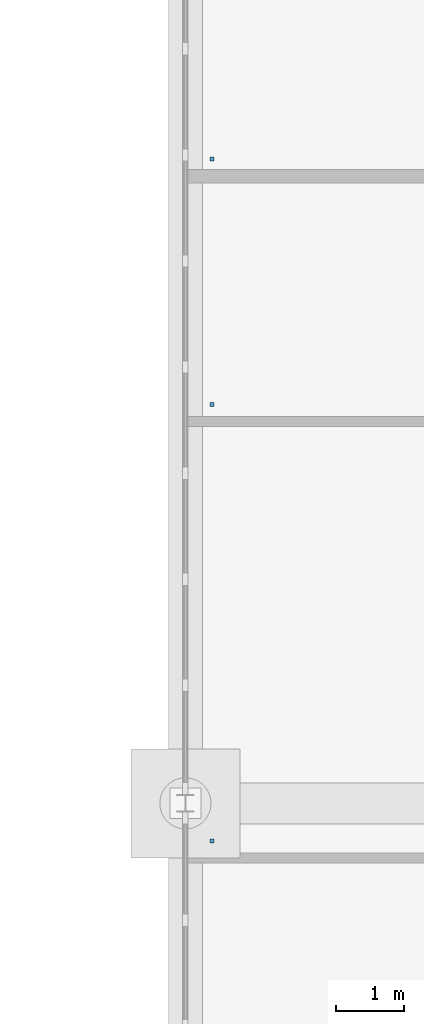
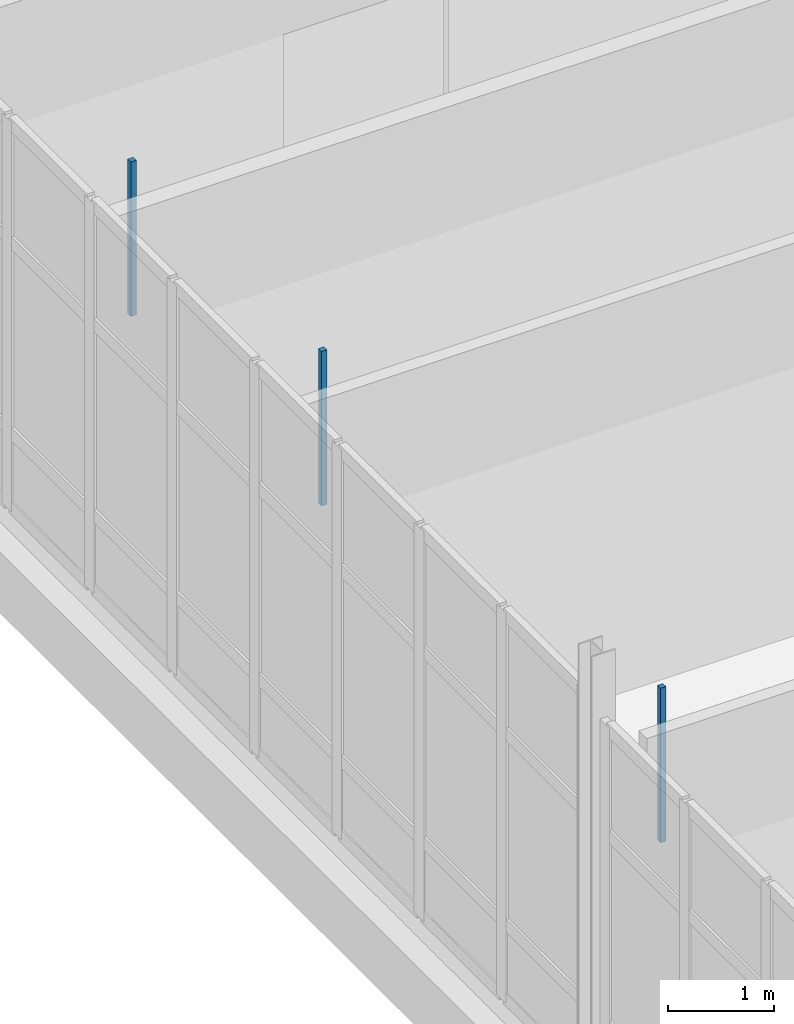
# One storey, part 87 of 111: 3 discrete accessories.
"""IFC4 building model written with IfcOpenShell, lengths in metres."""

from ifc_helpers import new_model, si_unit, direction, frame, origin, place, context, subcontext, project, spatial, polyline, outline, extrude, material, type_object, element, save


model = new_model("IFC4")

# Units and contexts
model_context = context("Model", 3, precision=1e-05, world=origin(), true_north=direction((0.0, 1.0)))
body_context = subcontext(model_context, "Body", "Model", "MODEL_VIEW")
ifc_project = project(units=[si_unit("LENGTHUNIT", "METRE"), si_unit("AREAUNIT", "SQUARE_METRE"), si_unit("VOLUMEUNIT", "CUBIC_METRE"), si_unit("PLANEANGLEUNIT", "RADIAN"), si_unit("MASSUNIT", "GRAM", prefix="KILO")], contexts=[model_context])

# Site, building, storey
site_placement = place(None, origin())
site = spatial("IfcSite", under=ifc_project, at=site_placement, CompositionType="ELEMENT")
building_placement = place(site_placement, origin())
building = spatial("IfcBuilding", under=site, at=building_placement, Name="Dunescarp Central Library", CompositionType="ELEMENT")
storey_placement = place(building_placement, origin())
storey = spatial("IfcBuildingStorey", under=building, at=storey_placement, Name="L00", CompositionType="ELEMENT", Elevation=0.0)

# Discrete accessories
ifc_material = material(Name="Stainless steel Grade 316L", Category="steel")
discrete_accessory_type = type_object("IfcDiscreteAccessoryType", Name="ARC-ACC-BRK", PredefinedType="BRACKET", material=ifc_material)
discrete_accessory_1_placement = place(storey_placement, frame((0.0, 0.0, 3.06005859375)))
element("IfcDiscreteAccessory", 1, at=discrete_accessory_1_placement, inside=storey, type_object=discrete_accessory_type, Name="L00 ceiling hanger CLG-L00-124-H1", PredefinedType="BRACKET", context=body_context, shape_type="SweptSolid", body=[
    extrude(outline(polyline([(0.360107421875, 98.6201171875), (0.419921875, 98.6201171875), (0.419921875, 98.679931640625), (0.360107421875, 98.679931640625), (0.360107421875, 98.6201171875)])), origin(), (0.0, 0.0, 1.0), 1.780029296875),
])
discrete_accessory_2_placement = place(storey_placement, frame((0.0, 0.0, 3.06005859375)))
element("IfcDiscreteAccessory", 2, at=discrete_accessory_2_placement, inside=storey, type_object=discrete_accessory_type, Name="L00 ceiling hanger CLG-L00-125-H1", PredefinedType="BRACKET", context=body_context, shape_type="SweptSolid", body=[
    extrude(outline(polyline([(0.360107421875, 105.02001953125), (0.419921875, 105.02001953125), (0.419921875, 105.080078125), (0.360107421875, 105.080078125), (0.360107421875, 105.02001953125)])), origin(), (0.0, 0.0, 1.0), 1.780029296875),
])
discrete_accessory_3_placement = place(storey_placement, frame((0.0, 0.0, 3.06005859375)))
element("IfcDiscreteAccessory", 3, at=discrete_accessory_3_placement, inside=storey, type_object=discrete_accessory_type, Name="L00 ceiling hanger CLG-L00-126-H1", PredefinedType="BRACKET", context=body_context, shape_type="SweptSolid", body=[
    extrude(outline(polyline([(0.360107421875, 108.6201171875), (0.419921875, 108.6201171875), (0.419921875, 108.679931640625), (0.360107421875, 108.679931640625), (0.360107421875, 108.6201171875)])), origin(), (0.0, 0.0, 1.0), 1.780029296875),
])

save(model, "model.ifc")
